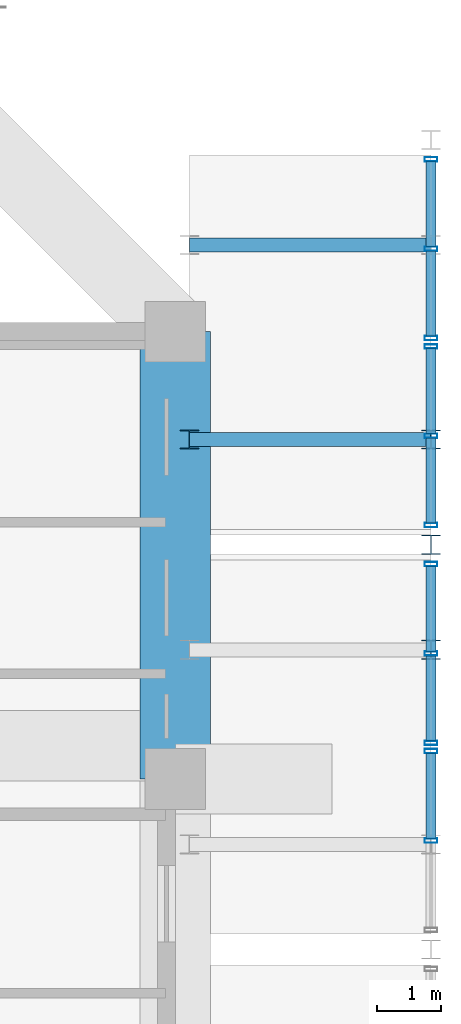
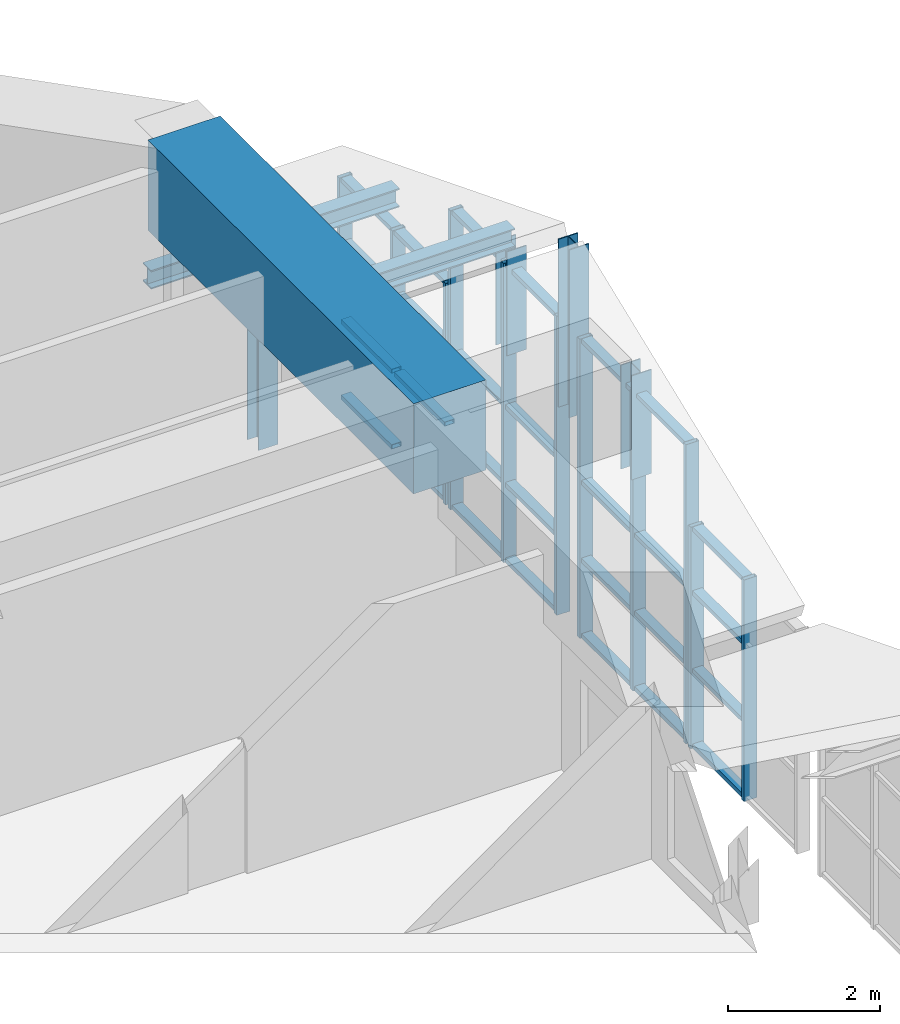
# One storey, part 26 of 45: 45 members, 1 beam, 4 elements without a shape of their own.
"""IFC4 building model written with IfcOpenShell, lengths in metres."""

from ifc_helpers import new_model, si_unit, direction, frame, origin, origin_2d, place, context, subcontext, project, spatial, rectangle, hollow_rectangle, i_section, extrude, source, transform, mapped, material, layer, layer_set, material_profile, profile_set, type_object, element, aggregate, save


model = new_model("IFC4")

# Units and contexts
model_context = context("Model", 3, precision=1e-05, world=origin(), true_north=direction((0.0, 1.0)))
body_context = subcontext(model_context, "Body", "Model", "MODEL_VIEW")
ifc_project = project(units=[si_unit("LENGTHUNIT", "METRE"), si_unit("AREAUNIT", "SQUARE_METRE"), si_unit("VOLUMEUNIT", "CUBIC_METRE"), si_unit("PLANEANGLEUNIT", "RADIAN"), si_unit("MASSUNIT", "GRAM", prefix="KILO")], contexts=[model_context])

# Site, building, storey
site_placement = place(None, origin())
site = spatial("IfcSite", under=ifc_project, at=site_placement, CompositionType="ELEMENT")
building_placement = place(site_placement, origin())
building = spatial("IfcBuilding", under=site, at=building_placement, Name="Saelheon Loggia Tower", CompositionType="ELEMENT")
storey_placement = place(building_placement, frame((0.0, 0.0, 152.199951171875)))
storey = spatial("IfcBuildingStorey", under=building, at=storey_placement, Name="L48", CompositionType="ELEMENT", Elevation=152.199951171875)

# Members
ifc_material_1 = material(Name="Steel SM355", Category="steel")
ifc_material_profile_1 = material_profile(ifc_material_1, i_section(OverallWidth=0.300048828125, OverallDepth=0.300048828125, WebThickness=0.010009765625, FlangeThickness=0.014892578125, at=origin_2d()), Name="H-300x300x10x15")
ifc_profile_set_1 = profile_set([ifc_material_profile_1], Name="Steel SM355")
member_type_1 = type_object("IfcMemberType", Name="WaveCrest_Post_H300", PredefinedType="POST", material=ifc_profile_set_1)
shared_shape_1 = source(origin(), body_context, "Body", "SweptSolid", [
    extrude(i_section(OverallWidth=0.300048828125, OverallDepth=0.300048828125, WebThickness=0.010009765625, FlangeThickness=0.014892578125, at=origin_2d()), origin(), (0.0, 0.0, 1.0), 2.699951171875),
])
member_1_placement = place(storey_placement, frame((64.0, 39.666748046875, 0.0), z_axis=(0.0, 0.0, 1.0), x_axis=(1.0, 0.0, 0.0)))
element("IfcMember", 1, at=member_1_placement, inside=storey, type_object=member_type_1, Name="Tier 1 Wave Crest Upper Post E 05", PredefinedType="POST", context=body_context, shape_type="MappedRepresentation", body=[
    mapped(shared_shape_1, transform((0.0, 0.0, 0.0), scale=1.0)),
])
ifc_material_profile_2 = material_profile(ifc_material_1, i_section(OverallWidth=0.219970703125, OverallDepth=0.300048828125, WebThickness=0.011962890625, FlangeThickness=0.02001953125, at=origin_2d()), Name="H-300x220x12x20")
ifc_profile_set_2 = profile_set([ifc_material_profile_2], Name="Steel SM355")
member_type_2 = type_object("IfcMemberType", Name="Roof_ShoulderPurlin_RHS300", PredefinedType="PURLIN", material=ifc_profile_set_2)
shared_shape_2 = source(origin(), body_context, "Body", "SweptSolid", [
    extrude(i_section(OverallWidth=0.219970703125, OverallDepth=0.300048828125, WebThickness=0.011962890625, FlangeThickness=0.02001953125, at=origin_2d()), origin(), (0.0, 0.0, 1.0), 3.780029296875),
])
for number, where, z_axis, x_axis, name in (
    (2, (64.0, 41.3115234375, 1.823486328125), (-1.0, 0.0, 0.0), (0.0, -1.0, 0.0), "Tier 1 Wave Crest Rafter E 06 A"),
    (3, (64.0, 44.355224609375, 0.6220703125), (-1.0, 0.0, 0.0), (0.0, -1.0, 0.0), "Tier 1 Wave Crest Rafter E 06 B"),
):
    element("IfcMember", number, at=place(storey_placement, frame(where, z_axis=z_axis, x_axis=x_axis)), inside=storey, type_object=member_type_2, Name=name, PredefinedType="PURLIN", context=body_context, shape_type="MappedRepresentation", body=[
        mapped(shared_shape_2, transform((0.0, 0.0, 0.0), scale=1.0)),
    ])
shared_shape_3 = source(origin(), body_context, "Body", "SweptSolid", [
    extrude(i_section(OverallWidth=0.300048828125, OverallDepth=0.300048828125, WebThickness=0.010009765625, FlangeThickness=0.014892578125, at=origin_2d()), origin(), (0.0, 0.0, 1.0), 1.673583984375),
])
for number, where, z_axis, x_axis, name in (
    (4, (64.0, 38.02197265625, 0.0), (0.0, 0.0, 1.0), (1.0, 0.0, 0.0), "Tier 1 Rafter Outer Upper Post E 05"),
    (5, (64.0, 41.3115234375, 0.0), (0.0, 0.0, 1.0), (1.0, 0.0, 0.0), "Tier 1 Rafter Outer Upper Post E 06"),
):
    element("IfcMember", number, at=place(storey_placement, frame(where, z_axis=z_axis, x_axis=x_axis)), inside=storey, type_object=member_type_1, Name=name, PredefinedType="POST", context=body_context, shape_type="MappedRepresentation", body=[
        mapped(shared_shape_3, transform((0.0, 0.0, 0.0), scale=1.0)),
    ])
ifc_material_profile_3 = material_profile(ifc_material_1, i_section(OverallWidth=0.300048828125, OverallDepth=0.300048828125, WebThickness=0.010009765625, FlangeThickness=0.014892578125, at=origin_2d()), Name="H-300x300x10x15")
ifc_profile_set_3 = profile_set([ifc_material_profile_3], Name="Steel SM355")
member_type_3 = type_object("IfcMemberType", Name="Belt_Post_H300", PredefinedType="POST", material=ifc_profile_set_3)
shared_shape_4 = source(origin(), body_context, "Body", "SweptSolid", [
    extrude(i_section(OverallWidth=0.300048828125, OverallDepth=0.300048828125, WebThickness=0.010009765625, FlangeThickness=0.014892578125, at=origin_2d()), origin(), (0.0, 0.0, 1.0), 1.87353515625),
])
member_2_placement = place(storey_placement, frame((60.219970703125, 41.3115234375, -0.199951171875), z_axis=(0.0, 0.0, 1.0), x_axis=(1.0, 0.0, 0.0)))
element("IfcMember", 6, at=member_2_placement, inside=storey, type_object=member_type_3, Name="Tier 1 Rafter Inner Post E 06", PredefinedType="POST", context=body_context, shape_type="MappedRepresentation", body=[
    mapped(shared_shape_4, transform((0.0, 0.0, 0.0), scale=1.0)),
])

# Beam
ifc_material_2 = material(Name="Concrete C50/60", Category="concrete")
ifc_material_profile_4 = material_profile(ifc_material_2, rectangle(XDim=1.10009765625, YDim=1.449951171875, at=origin_2d()), Name="RC-1100x1450")
ifc_profile_set_4 = profile_set([ifc_material_profile_4], Name="Concrete C50/60")
beam_type = type_object("IfcBeamType", Name="Beam_PerimTransfer_RC1100x1450", PredefinedType="BEAM", material=ifc_profile_set_4)
shared_shape_5 = source(origin(), body_context, "Body", "SweptSolid", [
    extrude(rectangle(XDim=1.10009765625, YDim=1.449951171875, at=origin_2d()), origin(), (0.0, 0.0, 1.0), 7.0),
])
beam_placement = place(storey_placement, frame((60.0, 36.0, 3.175048828125), z_axis=(0.0, 1.0, 0.0), x_axis=(-1.0, 0.0, 0.0)))
element("IfcBeam", 7, at=beam_placement, inside=storey, type_object=beam_type, Name="L48 Perimeter Frame Girder 07", PredefinedType="BEAM", context=body_context, shape_type="MappedRepresentation", body=[
    mapped(shared_shape_5, transform((0.0, 0.0, 0.0), scale=1.0)),
])

# Curtain wall, members
ifc_material_3 = material(Name="Bronze-Anodised Aluminium and Fritted Ceramic Screen", Category="aluminium")
ifc_layer = layer(ifc_material_3, 0.219970703125)
ifc_layer_set = layer_set([ifc_layer], Name="Bronze-Anodised Aluminium and Fritted Ceramic Screen")
curtain_wall_type = type_object("IfcCurtainWallType", Name="CW_CrownScreen", PredefinedType="NOTDEFINED", material=ifc_layer_set)
curtain_wall_1_placement = place(storey_placement, origin())
curtain_wall_1 = element("IfcCurtainWall", 8, at=curtain_wall_1_placement, inside=storey, type_object=curtain_wall_type, Name="Tier 1 Wave Crest Glazing E 05-1", PredefinedType="NOTDEFINED")
ifc_material_4 = material(Name="Bronze-Anodised Aluminium 6063-T6", Category="aluminium")
ifc_material_profile_5 = material_profile(ifc_material_4, hollow_rectangle(XDim=0.070068359375, YDim=0.199951171875, WallThickness=0.0048828125, at=origin_2d()), Name="RHS-200x70x5")
ifc_profile_set_5 = profile_set([ifc_material_profile_5], Name="Bronze-Anodised Aluminium 6063-T6")
member_type_4 = type_object("IfcMemberType", Name="CW_CrownScreen_Mullion", PredefinedType="MULLION", material=ifc_profile_set_5)
shared_shape_6 = source(origin(), body_context, "Body", "SweptSolid", [
    extrude(hollow_rectangle(XDim=0.070068359375, YDim=0.199951171875, WallThickness=0.0048828125, at=origin_2d()), origin(), (0.0, 0.0, 1.0), 3.56005859375),
])
member_3_placement = place(storey_placement, frame((64.0, 35.03662109375, -3.449951171875), z_axis=(0.0, 0.0, 1.0), x_axis=(0.0, 1.0, 0.0)))
member_3 = element("IfcMember", 9, at=member_3_placement, type_object=member_type_4, Name="CW6 mullion 2", PredefinedType="MULLION", context=body_context, shape_type="MappedRepresentation", body=[
    mapped(shared_shape_6, transform((0.0, 0.0, 0.0), scale=1.0)),
])
member_4_placement = place(storey_placement, frame((64.0, 36.43505859375, -3.449951171875), z_axis=(0.0, 0.0, 1.0), x_axis=(0.0, 1.0, 0.0)))
member_4 = element("IfcMember", 10, at=member_4_placement, type_object=member_type_4, Name="CW6 mullion 3", PredefinedType="MULLION", context=body_context, shape_type="MappedRepresentation", body=[
    mapped(shared_shape_6, transform((0.0, 0.0, 0.0), scale=1.0)),
])

curtain_wall_2_placement = place(storey_placement, origin())
curtain_wall_2 = element("IfcCurtainWall", 11, at=curtain_wall_2_placement, inside=storey, type_object=curtain_wall_type, Name="Tier 1 Wave Crest Glazing E 06-2", PredefinedType="NOTDEFINED")
member_5_placement = place(storey_placement, frame((64.0, 42.898193359375, -3.449951171875), z_axis=(0.0, 0.0, 1.0), x_axis=(0.0, 1.0, 0.0)))
member_5 = element("IfcMember", 12, at=member_5_placement, type_object=member_type_4, Name="CW6 mullion 1", PredefinedType="MULLION", context=body_context, shape_type="MappedRepresentation", body=[
    mapped(shared_shape_6, transform((0.0, 0.0, 0.0), scale=1.0)),
])
member_6_placement = place(storey_placement, frame((64.0, 44.296630859375, -3.449951171875), z_axis=(0.0, 0.0, 1.0), x_axis=(0.0, 1.0, 0.0)))
member_6 = element("IfcMember", 13, at=member_6_placement, type_object=member_type_4, Name="CW6 mullion 2", PredefinedType="MULLION", context=body_context, shape_type="MappedRepresentation", body=[
    mapped(shared_shape_6, transform((0.0, 0.0, 0.0), scale=1.0)),
])
member_7_placement = place(storey_placement, frame((64.0, 45.695068359375, -3.449951171875), z_axis=(0.0, 0.0, 1.0), x_axis=(0.0, 1.0, 0.0)))
member_7 = element("IfcMember", 14, at=member_7_placement, type_object=member_type_4, Name="CW6 mullion 3", PredefinedType="MULLION", context=body_context, shape_type="MappedRepresentation", body=[
    mapped(shared_shape_6, transform((0.0, 0.0, 0.0), scale=1.0)),
])

# Member
ifc_material_profile_6 = material_profile(ifc_material_4, hollow_rectangle(XDim=0.070068359375, YDim=0.14990234375, WallThickness=0.0048828125, at=origin_2d()), Name="RHS-150x70x5")
ifc_profile_set_6 = profile_set([ifc_material_profile_6], Name="Bronze-Anodised Aluminium 6063-T6")
member_type_5 = type_object("IfcMemberType", Name="CW_CrownScreen_Transom", PredefinedType="USERDEFINED", material=ifc_profile_set_6)
shared_shape_7 = source(origin(), body_context, "Body", "SweptSolid", [
    extrude(hollow_rectangle(XDim=0.070068359375, YDim=0.14990234375, WallThickness=0.0048828125, at=origin_2d()), origin(), (0.0, 0.0, 1.0), 1.328369140625),
])
member_8_placement = place(storey_placement, frame((64.0, 35.071533203125, -3.4150390625), z_axis=(0.0, 1.0, 0.0), x_axis=(0.0, 0.0, 1.0)))
member_8 = element("IfcMember", 15, at=member_8_placement, type_object=member_type_5, Name="CW6 transom 2.1", ObjectType="TRANSOM", PredefinedType="USERDEFINED", context=body_context, shape_type="MappedRepresentation", body=[
    mapped(shared_shape_7, transform((0.0, 0.0, 0.0), scale=1.0)),
])

member_9_placement = place(storey_placement, frame((64.0, 35.071533203125, -2.199951171875), z_axis=(0.0, 1.0, 0.0), x_axis=(0.0, 0.0, 1.0)))
member_9 = element("IfcMember", 16, at=member_9_placement, type_object=member_type_5, Name="CW6 transom 2.2", ObjectType="TRANSOM", PredefinedType="USERDEFINED", context=body_context, shape_type="MappedRepresentation", body=[
    mapped(shared_shape_7, transform((0.0, 0.0, 0.0), scale=1.0)),
])

member_10_placement = place(storey_placement, frame((64.0, 35.071533203125, -0.949951171875), z_axis=(0.0, 1.0, 0.0), x_axis=(0.0, 0.0, 1.0)))
member_10 = element("IfcMember", 17, at=member_10_placement, type_object=member_type_5, Name="CW6 transom 2.3", ObjectType="TRANSOM", PredefinedType="USERDEFINED", context=body_context, shape_type="MappedRepresentation", body=[
    mapped(shared_shape_7, transform((0.0, 0.0, 0.0), scale=1.0)),
])

member_11_placement = place(storey_placement, frame((64.0, 35.071533203125, 0.074951171875), z_axis=(0.0, 1.0, 0.0), x_axis=(0.0, 0.0, 1.0)))
member_11 = element("IfcMember", 18, at=member_11_placement, type_object=member_type_5, Name="CW6 transom 2.4", ObjectType="TRANSOM", PredefinedType="USERDEFINED", context=body_context, shape_type="MappedRepresentation", body=[
    mapped(shared_shape_7, transform((0.0, 0.0, 0.0), scale=1.0)),
])

aggregate(curtain_wall_1, [member_3, member_4, member_8, member_9, member_10, member_11])

# Curtain wall, members
curtain_wall_3_placement = place(storey_placement, origin())
curtain_wall_3 = element("IfcCurtainWall", 19, at=curtain_wall_3_placement, inside=storey, type_object=curtain_wall_type, Name="Tier 1 Wave Crest Glazing E 05-2", PredefinedType="NOTDEFINED")
member_12_placement = place(storey_placement, frame((64.0, 36.60009765625, -3.4150390625), z_axis=(0.0, 1.0, 0.0), x_axis=(0.0, 0.0, 1.0)))
member_12 = element("IfcMember", 20, at=member_12_placement, type_object=member_type_5, Name="CW6 transom 1.1", ObjectType="TRANSOM", PredefinedType="USERDEFINED", context=body_context, shape_type="MappedRepresentation", body=[
    mapped(shared_shape_7, transform((0.0, 0.0, 0.0), scale=1.0)),
])
member_13_placement = place(storey_placement, frame((64.0, 36.60009765625, -2.199951171875), z_axis=(0.0, 1.0, 0.0), x_axis=(0.0, 0.0, 1.0)))
member_13 = element("IfcMember", 21, at=member_13_placement, type_object=member_type_5, Name="CW6 transom 1.2", ObjectType="TRANSOM", PredefinedType="USERDEFINED", context=body_context, shape_type="MappedRepresentation", body=[
    mapped(shared_shape_7, transform((0.0, 0.0, 0.0), scale=1.0)),
])
member_14_placement = place(storey_placement, frame((64.0, 36.60009765625, -0.949951171875), z_axis=(0.0, 1.0, 0.0), x_axis=(0.0, 0.0, 1.0)))
member_14 = element("IfcMember", 22, at=member_14_placement, type_object=member_type_5, Name="CW6 transom 1.3", ObjectType="TRANSOM", PredefinedType="USERDEFINED", context=body_context, shape_type="MappedRepresentation", body=[
    mapped(shared_shape_7, transform((0.0, 0.0, 0.0), scale=1.0)),
])
member_15_placement = place(storey_placement, frame((64.0, 36.60009765625, 1.324951171875), z_axis=(0.0, 1.0, 0.0), x_axis=(0.0, 0.0, 1.0)))
member_15 = element("IfcMember", 23, at=member_15_placement, type_object=member_type_5, Name="CW6 transom 1.4", ObjectType="TRANSOM", PredefinedType="USERDEFINED", context=body_context, shape_type="MappedRepresentation", body=[
    mapped(shared_shape_7, transform((0.0, 0.0, 0.0), scale=1.0)),
])
member_16_placement = place(storey_placement, frame((64.0, 37.998291015625, -3.4150390625), z_axis=(0.0, 1.0, 0.0), x_axis=(0.0, 0.0, 1.0)))
member_16 = element("IfcMember", 24, at=member_16_placement, type_object=member_type_5, Name="CW6 transom 2.1", ObjectType="TRANSOM", PredefinedType="USERDEFINED", context=body_context, shape_type="MappedRepresentation", body=[
    mapped(shared_shape_7, transform((0.0, 0.0, 0.0), scale=1.0)),
])
member_17_placement = place(storey_placement, frame((64.0, 37.998291015625, -2.199951171875), z_axis=(0.0, 1.0, 0.0), x_axis=(0.0, 0.0, 1.0)))
member_17 = element("IfcMember", 25, at=member_17_placement, type_object=member_type_5, Name="CW6 transom 2.2", ObjectType="TRANSOM", PredefinedType="USERDEFINED", context=body_context, shape_type="MappedRepresentation", body=[
    mapped(shared_shape_7, transform((0.0, 0.0, 0.0), scale=1.0)),
])
member_18_placement = place(storey_placement, frame((64.0, 37.998291015625, -0.949951171875), z_axis=(0.0, 1.0, 0.0), x_axis=(0.0, 0.0, 1.0)))
member_18 = element("IfcMember", 26, at=member_18_placement, type_object=member_type_5, Name="CW6 transom 2.3", ObjectType="TRANSOM", PredefinedType="USERDEFINED", context=body_context, shape_type="MappedRepresentation", body=[
    mapped(shared_shape_7, transform((0.0, 0.0, 0.0), scale=1.0)),
])
member_19_placement = place(storey_placement, frame((64.0, 37.998291015625, 1.324951171875), z_axis=(0.0, 1.0, 0.0), x_axis=(0.0, 0.0, 1.0)))
member_19 = element("IfcMember", 27, at=member_19_placement, type_object=member_type_5, Name="CW6 transom 2.4", ObjectType="TRANSOM", PredefinedType="USERDEFINED", context=body_context, shape_type="MappedRepresentation", body=[
    mapped(shared_shape_7, transform((0.0, 0.0, 0.0), scale=1.0)),
])

curtain_wall_4_placement = place(storey_placement, origin())
curtain_wall_4 = element("IfcCurtainWall", 28, at=curtain_wall_4_placement, inside=storey, type_object=curtain_wall_type, Name="Tier 1 Wave Crest Glazing E 06-1", PredefinedType="NOTDEFINED")
member_20_placement = place(storey_placement, frame((64.0, 40.006591796875, -3.4150390625), z_axis=(0.0, 1.0, 0.0), x_axis=(0.0, 0.0, 1.0)))
member_20 = element("IfcMember", 29, at=member_20_placement, type_object=member_type_5, Name="CW6 transom 1.1", ObjectType="TRANSOM", PredefinedType="USERDEFINED", context=body_context, shape_type="MappedRepresentation", body=[
    mapped(shared_shape_7, transform((0.0, 0.0, 0.0), scale=1.0)),
])
member_21_placement = place(storey_placement, frame((64.0, 40.006591796875, -2.199951171875), z_axis=(0.0, 1.0, 0.0), x_axis=(0.0, 0.0, 1.0)))
member_21 = element("IfcMember", 30, at=member_21_placement, type_object=member_type_5, Name="CW6 transom 1.2", ObjectType="TRANSOM", PredefinedType="USERDEFINED", context=body_context, shape_type="MappedRepresentation", body=[
    mapped(shared_shape_7, transform((0.0, 0.0, 0.0), scale=1.0)),
])
member_22_placement = place(storey_placement, frame((64.0, 40.006591796875, -0.949951171875), z_axis=(0.0, 1.0, 0.0), x_axis=(0.0, 0.0, 1.0)))
member_22 = element("IfcMember", 31, at=member_22_placement, type_object=member_type_5, Name="CW6 transom 1.3", ObjectType="TRANSOM", PredefinedType="USERDEFINED", context=body_context, shape_type="MappedRepresentation", body=[
    mapped(shared_shape_7, transform((0.0, 0.0, 0.0), scale=1.0)),
])
member_23_placement = place(storey_placement, frame((64.0, 40.006591796875, 1.324951171875), z_axis=(0.0, 1.0, 0.0), x_axis=(0.0, 0.0, 1.0)))
member_23 = element("IfcMember", 32, at=member_23_placement, type_object=member_type_5, Name="CW6 transom 1.4", ObjectType="TRANSOM", PredefinedType="USERDEFINED", context=body_context, shape_type="MappedRepresentation", body=[
    mapped(shared_shape_7, transform((0.0, 0.0, 0.0), scale=1.0)),
])
member_24_placement = place(storey_placement, frame((64.0, 41.405029296875, -3.4150390625), z_axis=(0.0, 1.0, 0.0), x_axis=(0.0, 0.0, 1.0)))
member_24 = element("IfcMember", 33, at=member_24_placement, type_object=member_type_5, Name="CW6 transom 2.1", ObjectType="TRANSOM", PredefinedType="USERDEFINED", context=body_context, shape_type="MappedRepresentation", body=[
    mapped(shared_shape_7, transform((0.0, 0.0, 0.0), scale=1.0)),
])
member_25_placement = place(storey_placement, frame((64.0, 41.405029296875, -2.199951171875), z_axis=(0.0, 1.0, 0.0), x_axis=(0.0, 0.0, 1.0)))
member_25 = element("IfcMember", 34, at=member_25_placement, type_object=member_type_5, Name="CW6 transom 2.2", ObjectType="TRANSOM", PredefinedType="USERDEFINED", context=body_context, shape_type="MappedRepresentation", body=[
    mapped(shared_shape_7, transform((0.0, 0.0, 0.0), scale=1.0)),
])
member_26_placement = place(storey_placement, frame((64.0, 41.405029296875, -0.949951171875), z_axis=(0.0, 1.0, 0.0), x_axis=(0.0, 0.0, 1.0)))
member_26 = element("IfcMember", 35, at=member_26_placement, type_object=member_type_5, Name="CW6 transom 2.3", ObjectType="TRANSOM", PredefinedType="USERDEFINED", context=body_context, shape_type="MappedRepresentation", body=[
    mapped(shared_shape_7, transform((0.0, 0.0, 0.0), scale=1.0)),
])
member_27_placement = place(storey_placement, frame((64.0, 41.405029296875, 1.324951171875), z_axis=(0.0, 1.0, 0.0), x_axis=(0.0, 0.0, 1.0)))
member_27 = element("IfcMember", 36, at=member_27_placement, type_object=member_type_5, Name="CW6 transom 2.4", ObjectType="TRANSOM", PredefinedType="USERDEFINED", context=body_context, shape_type="MappedRepresentation", body=[
    mapped(shared_shape_7, transform((0.0, 0.0, 0.0), scale=1.0)),
])

# Member
member_28_placement = place(storey_placement, frame((64.0, 42.933349609375, -3.4150390625), z_axis=(0.0, 1.0, 0.0), x_axis=(0.0, 0.0, 1.0)))
member_28 = element("IfcMember", 37, at=member_28_placement, type_object=member_type_5, Name="CW6 transom 1.1", ObjectType="TRANSOM", PredefinedType="USERDEFINED", context=body_context, shape_type="MappedRepresentation", body=[
    mapped(shared_shape_7, transform((0.0, 0.0, 0.0), scale=1.0)),
])

member_29_placement = place(storey_placement, frame((64.0, 42.933349609375, -2.199951171875), z_axis=(0.0, 1.0, 0.0), x_axis=(0.0, 0.0, 1.0)))
member_29 = element("IfcMember", 38, at=member_29_placement, type_object=member_type_5, Name="CW6 transom 1.2", ObjectType="TRANSOM", PredefinedType="USERDEFINED", context=body_context, shape_type="MappedRepresentation", body=[
    mapped(shared_shape_7, transform((0.0, 0.0, 0.0), scale=1.0)),
])

member_30_placement = place(storey_placement, frame((64.0, 42.933349609375, -0.949951171875), z_axis=(0.0, 1.0, 0.0), x_axis=(0.0, 0.0, 1.0)))
member_30 = element("IfcMember", 39, at=member_30_placement, type_object=member_type_5, Name="CW6 transom 1.3", ObjectType="TRANSOM", PredefinedType="USERDEFINED", context=body_context, shape_type="MappedRepresentation", body=[
    mapped(shared_shape_7, transform((0.0, 0.0, 0.0), scale=1.0)),
])

member_31_placement = place(storey_placement, frame((64.0, 42.933349609375, 0.074951171875), z_axis=(0.0, 1.0, 0.0), x_axis=(0.0, 0.0, 1.0)))
member_31 = element("IfcMember", 40, at=member_31_placement, type_object=member_type_5, Name="CW6 transom 1.4", ObjectType="TRANSOM", PredefinedType="USERDEFINED", context=body_context, shape_type="MappedRepresentation", body=[
    mapped(shared_shape_7, transform((0.0, 0.0, 0.0), scale=1.0)),
])

member_32_placement = place(storey_placement, frame((64.0, 44.33154296875, -3.4150390625), z_axis=(0.0, 1.0, 0.0), x_axis=(0.0, 0.0, 1.0)))
member_32 = element("IfcMember", 41, at=member_32_placement, type_object=member_type_5, Name="CW6 transom 2.1", ObjectType="TRANSOM", PredefinedType="USERDEFINED", context=body_context, shape_type="MappedRepresentation", body=[
    mapped(shared_shape_7, transform((0.0, 0.0, 0.0), scale=1.0)),
])

member_33_placement = place(storey_placement, frame((64.0, 44.33154296875, -2.199951171875), z_axis=(0.0, 1.0, 0.0), x_axis=(0.0, 0.0, 1.0)))
member_33 = element("IfcMember", 42, at=member_33_placement, type_object=member_type_5, Name="CW6 transom 2.2", ObjectType="TRANSOM", PredefinedType="USERDEFINED", context=body_context, shape_type="MappedRepresentation", body=[
    mapped(shared_shape_7, transform((0.0, 0.0, 0.0), scale=1.0)),
])

member_34_placement = place(storey_placement, frame((64.0, 44.33154296875, -0.949951171875), z_axis=(0.0, 1.0, 0.0), x_axis=(0.0, 0.0, 1.0)))
member_34 = element("IfcMember", 43, at=member_34_placement, type_object=member_type_5, Name="CW6 transom 2.3", ObjectType="TRANSOM", PredefinedType="USERDEFINED", context=body_context, shape_type="MappedRepresentation", body=[
    mapped(shared_shape_7, transform((0.0, 0.0, 0.0), scale=1.0)),
])

member_35_placement = place(storey_placement, frame((64.0, 44.33154296875, 0.074951171875), z_axis=(0.0, 1.0, 0.0), x_axis=(0.0, 0.0, 1.0)))
member_35 = element("IfcMember", 44, at=member_35_placement, type_object=member_type_5, Name="CW6 transom 2.4", ObjectType="TRANSOM", PredefinedType="USERDEFINED", context=body_context, shape_type="MappedRepresentation", body=[
    mapped(shared_shape_7, transform((0.0, 0.0, 0.0), scale=1.0)),
])

aggregate(curtain_wall_2, [member_5, member_6, member_7, member_28, member_29, member_30, member_31, member_32, member_33, member_34, member_35])

shared_shape_8 = source(origin(), body_context, "Body", "SweptSolid", [
    extrude(hollow_rectangle(XDim=0.070068359375, YDim=0.199951171875, WallThickness=0.0048828125, at=origin_2d()), origin(), (0.0, 0.0, 1.0), 4.81005859375),
])
member_36_placement = place(storey_placement, frame((64.0, 36.56494140625, -3.449951171875), z_axis=(0.0, 0.0, 1.0), x_axis=(0.0, 1.0, 0.0)))
member_36 = element("IfcMember", 45, at=member_36_placement, type_object=member_type_4, Name="CW6 mullion 1", PredefinedType="MULLION", context=body_context, shape_type="MappedRepresentation", body=[
    mapped(shared_shape_8, transform((0.0, 0.0, 0.0), scale=1.0)),
])

member_37_placement = place(storey_placement, frame((64.0, 37.96337890625, -3.449951171875), z_axis=(0.0, 0.0, 1.0), x_axis=(0.0, 1.0, 0.0)))
member_37 = element("IfcMember", 46, at=member_37_placement, type_object=member_type_4, Name="CW6 mullion 2", PredefinedType="MULLION", context=body_context, shape_type="MappedRepresentation", body=[
    mapped(shared_shape_8, transform((0.0, 0.0, 0.0), scale=1.0)),
])

member_38_placement = place(storey_placement, frame((64.0, 39.36181640625, -3.449951171875), z_axis=(0.0, 0.0, 1.0), x_axis=(0.0, 1.0, 0.0)))
member_38 = element("IfcMember", 47, at=member_38_placement, type_object=member_type_4, Name="CW6 mullion 3", PredefinedType="MULLION", context=body_context, shape_type="MappedRepresentation", body=[
    mapped(shared_shape_8, transform((0.0, 0.0, 0.0), scale=1.0)),
])

aggregate(curtain_wall_3, [member_36, member_37, member_38, member_12, member_13, member_14, member_15, member_16, member_17, member_18, member_19])

member_39_placement = place(storey_placement, frame((64.0, 39.9716796875, -3.449951171875), z_axis=(0.0, 0.0, 1.0), x_axis=(0.0, 1.0, 0.0)))
member_39 = element("IfcMember", 48, at=member_39_placement, type_object=member_type_4, Name="CW6 mullion 1", PredefinedType="MULLION", context=body_context, shape_type="MappedRepresentation", body=[
    mapped(shared_shape_8, transform((0.0, 0.0, 0.0), scale=1.0)),
])

member_40_placement = place(storey_placement, frame((64.0, 41.3701171875, -3.449951171875), z_axis=(0.0, 0.0, 1.0), x_axis=(0.0, 1.0, 0.0)))
member_40 = element("IfcMember", 49, at=member_40_placement, type_object=member_type_4, Name="CW6 mullion 2", PredefinedType="MULLION", context=body_context, shape_type="MappedRepresentation", body=[
    mapped(shared_shape_8, transform((0.0, 0.0, 0.0), scale=1.0)),
])

member_41_placement = place(storey_placement, frame((64.0, 42.768310546875, -3.449951171875), z_axis=(0.0, 0.0, 1.0), x_axis=(0.0, 1.0, 0.0)))
member_41 = element("IfcMember", 50, at=member_41_placement, type_object=member_type_4, Name="CW6 mullion 3", PredefinedType="MULLION", context=body_context, shape_type="MappedRepresentation", body=[
    mapped(shared_shape_8, transform((0.0, 0.0, 0.0), scale=1.0)),
])

aggregate(curtain_wall_4, [member_39, member_40, member_41, member_20, member_21, member_22, member_23, member_24, member_25, member_26, member_27])

save(model, "model.ifc")
